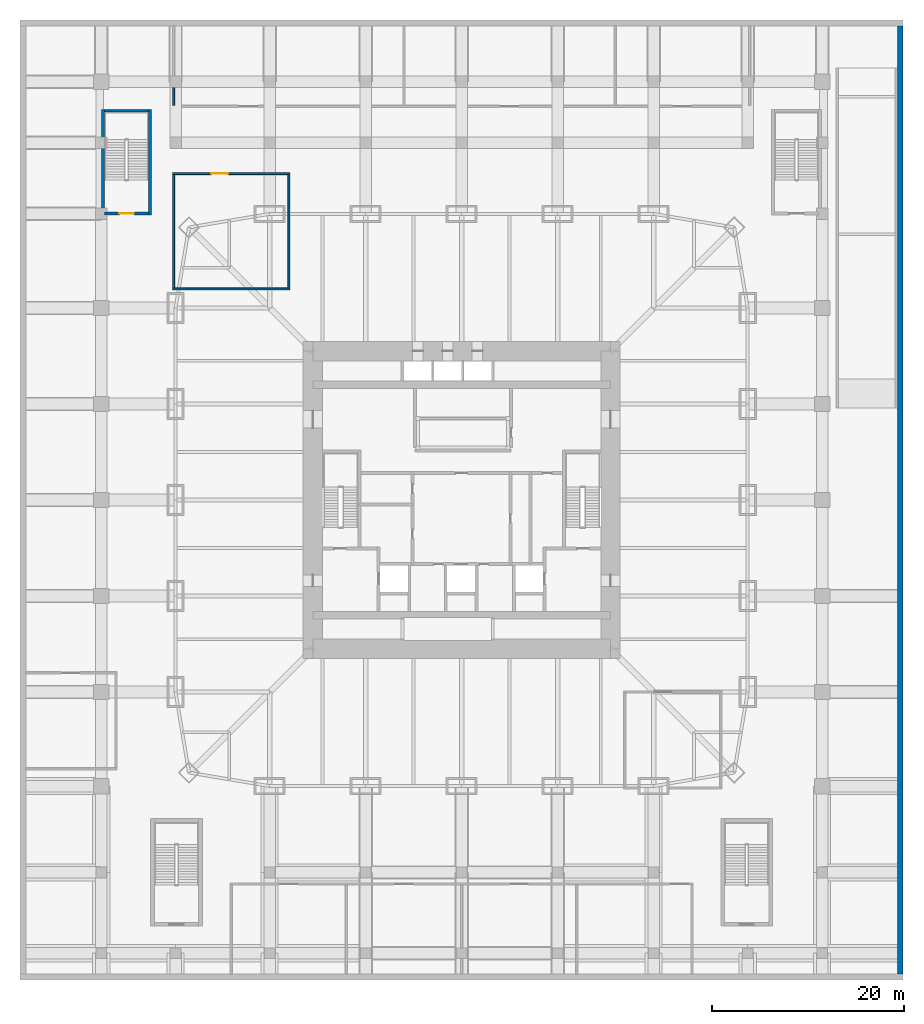
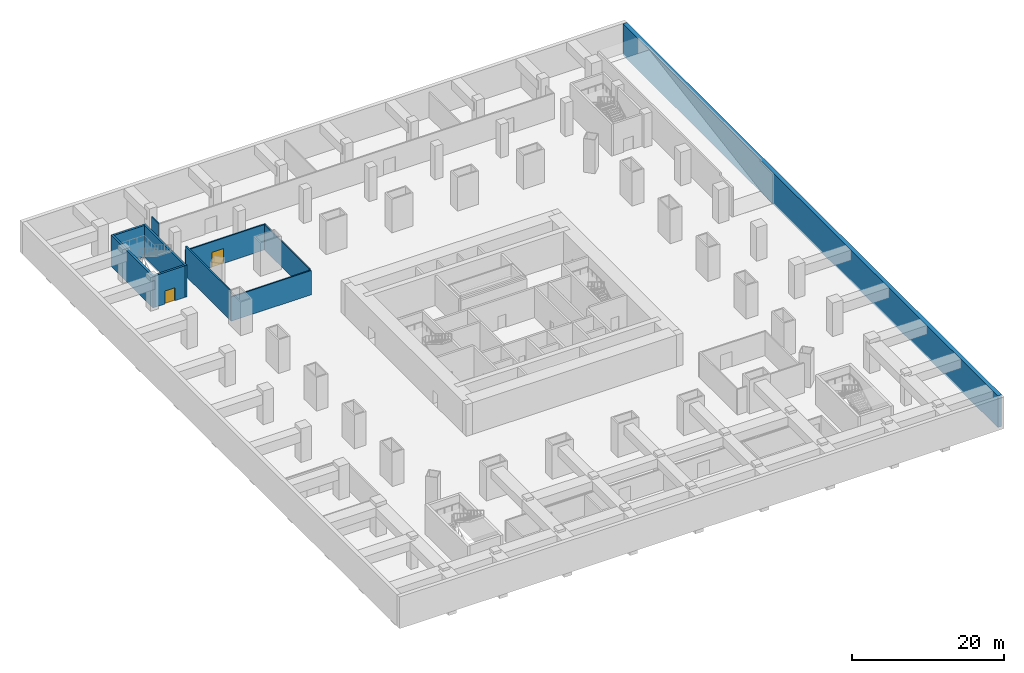
# One storey, part 8 of 12: 10 walls, 2 doors, 2 openings.
"""IFC4 building model written with IfcOpenShell, lengths in metres."""

from ifc_helpers import new_model, si_unit, direction, frame, frame_2d, origin, place, context, subcontext, project, spatial, rectangle, extrude, material, layer, layer_set, type_object, element, fill, save


model = new_model("IFC4")

# Units and contexts
model_context = context("Model", 3, precision=1e-05, world=origin(), true_north=direction((0.0, 1.0)))
body_context = subcontext(model_context, "Body", "Model", "MODEL_VIEW")
ifc_project = project(units=[si_unit("LENGTHUNIT", "METRE"), si_unit("AREAUNIT", "SQUARE_METRE"), si_unit("VOLUMEUNIT", "CUBIC_METRE"), si_unit("PLANEANGLEUNIT", "RADIAN"), si_unit("MASSUNIT", "GRAM", prefix="KILO")], contexts=[model_context])

# Site, building, storey
site_placement = place(None, origin())
site = spatial("IfcSite", under=ifc_project, at=site_placement, CompositionType="ELEMENT")
building_placement = place(site_placement, origin())
building = spatial("IfcBuilding", under=site, at=building_placement, Name="Khuree Lantern Residences", CompositionType="ELEMENT")
storey_placement = place(building_placement, frame((0.0, 0.0, -5.39990234375)))
storey = spatial("IfcBuildingStorey", under=building, at=storey_placement, Name="B1", CompositionType="ELEMENT", Elevation=-5.39990234375)

# Walls
ifc_material_1 = material(Name="Dense concrete blockwork", Category="masonry")
ifc_layer_1 = layer(ifc_material_1, 0.199951171875)
ifc_layer_set_1 = layer_set([ifc_layer_1], Name="FIRE-RATED ROOM WALL FRW200 EI 120")
wall_type_1 = type_object("IfcWallType", Name="FIRE-RATED ROOM WALL FRW200 EI 120", PredefinedType="SOLIDWALL", material=ifc_layer_set_1)
wall_1_placement = place(storey_placement, frame((-30.0, 41.10009765625, 0.0), z_axis=(0.0, 0.0, 1.0), x_axis=(0.0, 1.0, 0.0)))
element("IfcWall", 1, at=wall_1_placement, inside=storey, type_object=wall_type_1, Name="B1 ROOM WALL 21", PredefinedType="SOLIDWALL", context=body_context, shape_type="SweptSolid", body=[
    extrude(rectangle(XDim=1.81982421875, YDim=0.199951171875, at=frame_2d((0.909912109375, 0.0))), origin(), (0.0, 0.0, 1.0), 4.099853515625),
])
ifc_layer_2 = layer(ifc_material_1, 0.199951171875)
ifc_layer_set_2 = layer_set([ifc_layer_2], Name="ROOM WALL RMW200")
wall_type_2 = type_object("IfcWallType", Name="ROOM WALL RMW200", PredefinedType="SOLIDWALL", material=ifc_layer_set_2)
wall_2_placement = place(storey_placement, frame((-30.10009765625, 22.0, 0.0), z_axis=(0.0, 0.0, 1.0), x_axis=(1.0, 0.0, 0.0)))
element("IfcWall", 2, at=wall_2_placement, inside=storey, type_object=wall_type_2, Name="B1 ROOM WALL 16", PredefinedType="SOLIDWALL", context=body_context, shape_type="SweptSolid", body=[
    extrude(rectangle(XDim=12.2001953125, YDim=0.199951171875, at=frame_2d((6.10009765625, 0.0))), origin(), (0.0, 0.0, 1.0), 3.89990234375),
])
wall_3_placement = place(storey_placement, frame((-30.0, 22.10009765625, 0.0), z_axis=(0.0, 0.0, 1.0), x_axis=(0.0, 1.0, 0.0)))
element("IfcWall", 3, at=wall_3_placement, inside=storey, type_object=wall_type_2, Name="B1 ROOM WALL 17", PredefinedType="SOLIDWALL", context=body_context, shape_type="SweptSolid", body=[
    extrude(rectangle(XDim=11.7998046875, YDim=0.199951171875, at=frame_2d((5.89990234375, 0.0))), origin(), (0.0, 0.0, 1.0), 4.7998046875),
])
wall_4_placement = place(storey_placement, frame((-18.0, 22.10009765625, 0.0), z_axis=(0.0, 0.0, 1.0), x_axis=(0.0, 1.0, 0.0)))
element("IfcWall", 4, at=wall_4_placement, inside=storey, type_object=wall_type_2, Name="B1 ROOM WALL 18", PredefinedType="SOLIDWALL", context=body_context, shape_type="SweptSolid", body=[
    extrude(rectangle(XDim=11.7998046875, YDim=0.199951171875, at=frame_2d((5.89990234375, 0.0))), origin(), (0.0, 0.0, 1.0), 4.099853515625),
])

# Wall, opening, door
wall_5_placement = place(storey_placement, frame((-30.10009765625, 34.0, 0.0), z_axis=(0.0, 0.0, 1.0), x_axis=(1.0, 0.0, 0.0)))
wall_5 = element("IfcWall", 5, at=wall_5_placement, inside=storey, type_object=wall_type_2, Name="B1 ROOM WALL 19", PredefinedType="SOLIDWALL", context=body_context, shape_type="SweptSolid", body=[
    extrude(rectangle(XDim=12.2001953125, YDim=0.199951171875, at=frame_2d((6.10009765625, 0.0))), origin(), (0.0, 0.0, 1.0), 4.099853515625),
])
opening_1_placement = place(wall_5_placement, frame((4.0, 0.0, 0.0)))
opening_1 = element("IfcOpeningElement", 6, at=opening_1_placement, cuts=wall_5, Name="Opening B1-034", PredefinedType="OPENING", context=body_context, shape_type="SweptSolid", body=[
    extrude(rectangle(XDim=1.800048828125, YDim=2.39990234375, at=frame_2d((0.89990234375, 1.199951171875))), frame((0.0, 0.10986328125, 0.0), z_axis=(0.0, -1.0, 0.0), x_axis=(1.0, 0.0, 0.0)), (0.0, 0.0, 1.0), 0.219970703125),
])
ifc_material_2 = material(Name="Timber door leaf in hardwood frame", Category="wood")
door_type_1 = type_object("IfcDoorType", Name="DOUBLE DOOR 1800X2400", OperationType="DOUBLE_DOOR_SINGLE_SWING", PredefinedType="DOOR", material=ifc_material_2)
door_1_placement = place(opening_1_placement, origin())
door_1 = element("IfcDoor", 7, at=door_1_placement, inside=storey, type_object=door_type_1, Name="Resident storage door B1-034", OperationType="DOUBLE_DOOR_SINGLE_SWING", OverallHeight=2.39990234375, OverallWidth=1.800048828125, PredefinedType="DOOR", context=body_context, shape_type="SweptSolid", body=[
    extrude(rectangle(XDim=1.800048828125, YDim=2.39990234375, at=frame_2d((0.89990234375, 1.199951171875))), frame((0.0, 0.02490234375, 0.0), z_axis=(0.0, -1.0, 0.0), x_axis=(1.0, 0.0, 0.0)), (0.0, 0.0, 1.0), 0.050048828125),
])
fill(opening_1, door_1)

# Walls
ifc_material_3 = material(Name="Concrete C40/50", Category="concrete")
ifc_layer_3 = layer(ifc_material_3, 0.60009765625)
ifc_layer_set_3 = layer_set([ifc_layer_3], Name="RW1 BASEMENT RETAINING WALL 600")
wall_type_3 = type_object("IfcWallType", Name="RW1 BASEMENT RETAINING WALL 600", PredefinedType="SOLIDWALL", material=ifc_layer_set_3)
wall_6_placement = place(storey_placement, frame((45.699951171875, -49.39990234375, -0.300048828125), z_axis=(0.0, 0.0, 1.0), x_axis=(0.0, 1.0, 0.0)))
element("IfcWall", 8, at=wall_6_placement, inside=storey, type_object=wall_type_3, Name="Retaining wall E", PredefinedType="SOLIDWALL", context=body_context, shape_type="SweptSolid", body=[
    extrude(rectangle(XDim=98.7998046875, YDim=0.60009765625, at=frame_2d((49.39990234375, 0.0))), origin(), (0.0, 0.0, 1.0), 5.099853515625),
])
ifc_material_4 = material(Name="Concrete C50/60", Category="concrete")
ifc_layer_4 = layer(ifc_material_4, 0.300048828125)
ifc_layer_set_4 = layer_set([ifc_layer_4], Name="STAIR WALL SRW300 C50/60 REI 240")
wall_type_4 = type_object("IfcWallType", Name="STAIR WALL SRW300 C50/60 REI 240", PredefinedType="SOLIDWALL", material=ifc_layer_set_4)
wall_7_placement = place(storey_placement, frame((-37.35009765625, 29.699951171875, 0.0), z_axis=(0.0, 0.0, 1.0), x_axis=(0.0, 1.0, 0.0)))
element("IfcWall", 9, at=wall_7_placement, inside=storey, type_object=wall_type_4, Name="B1 STAIR ST3 WALL O", PredefinedType="SOLIDWALL", context=body_context, shape_type="SweptSolid", body=[
    extrude(rectangle(XDim=11.0, YDim=0.300048828125, at=frame_2d((5.5, 0.0))), origin(), (0.0, 0.0, 1.0), 5.099853515625),
])

# Wall, opening, door
wall_8_placement = place(storey_placement, frame((-37.199951171875, 29.85009765625, 0.0), z_axis=(0.0, 0.0, 1.0), x_axis=(1.0, 0.0, 0.0)))
wall_8 = element("IfcWall", 10, at=wall_8_placement, inside=storey, type_object=wall_type_4, Name="B1 STAIR ST3 WALL S", PredefinedType="SOLIDWALL", context=body_context, shape_type="SweptSolid", body=[
    extrude(rectangle(XDim=4.599853515625, YDim=0.300048828125, at=frame_2d((2.2998046875, 0.0))), origin(), (0.0, 0.0, 1.0), 5.099853515625),
])
opening_2_placement = place(wall_8_placement, frame((1.550048828125, 0.0, 0.0)))
opening_2 = element("IfcOpeningElement", 11, at=opening_2_placement, cuts=wall_8, Name="Opening B1-023", PredefinedType="OPENING", context=body_context, shape_type="SweptSolid", body=[
    extrude(rectangle(XDim=1.5, YDim=2.10009765625, at=frame_2d((0.75, 1.050048828125))), frame((0.0, 0.16015625, 0.0), z_axis=(0.0, -1.0, 0.0), x_axis=(1.0, 0.0, 0.0)), (0.0, 0.0, 1.0), 0.320068359375),
])
ifc_material_5 = material(Name="Steel door leaf in steel frame", Category="steel")
door_type_2 = type_object("IfcDoorType", Name="STAIR DOOR 1500X2100 EI 120", OperationType="DOUBLE_DOOR_SINGLE_SWING", PredefinedType="DOOR", material=ifc_material_5)
door_2_placement = place(opening_2_placement, origin())
door_2 = element("IfcDoor", 12, at=door_2_placement, inside=storey, type_object=door_type_2, Name="Stair ST3 door B1-023", OperationType="DOUBLE_DOOR_SINGLE_SWING", OverallHeight=2.10009765625, OverallWidth=1.5, PredefinedType="DOOR", context=body_context, shape_type="SweptSolid", body=[
    extrude(rectangle(XDim=1.5, YDim=2.10009765625, at=frame_2d((0.75, 1.050048828125))), frame((0.0, 0.02490234375, 0.0), z_axis=(0.0, -1.0, 0.0), x_axis=(1.0, 0.0, 0.0)), (0.0, 0.0, 1.0), 0.050048828125),
])
fill(opening_2, door_2)

# Walls
wall_9_placement = place(storey_placement, frame((-32.449951171875, 29.699951171875, 0.0), z_axis=(0.0, 0.0, 1.0), x_axis=(0.0, 1.0, 0.0)))
element("IfcWall", 13, at=wall_9_placement, inside=storey, type_object=wall_type_4, Name="B1 STAIR ST3 WALL I", PredefinedType="SOLIDWALL", context=body_context, shape_type="SweptSolid", body=[
    extrude(rectangle(XDim=11.0, YDim=0.300048828125, at=frame_2d((5.5, 0.0))), origin(), (0.0, 0.0, 1.0), 5.099853515625),
])
wall_10_placement = place(storey_placement, frame((-37.199951171875, 40.550048828125, 0.0), z_axis=(0.0, 0.0, 1.0), x_axis=(1.0, 0.0, 0.0)))
element("IfcWall", 14, at=wall_10_placement, inside=storey, type_object=wall_type_4, Name="B1 STAIR ST3 WALL N", PredefinedType="SOLIDWALL", context=body_context, shape_type="SweptSolid", body=[
    extrude(rectangle(XDim=4.599853515625, YDim=0.300048828125, at=frame_2d((2.2998046875, 0.0))), origin(), (0.0, 0.0, 1.0), 5.099853515625),
])

save(model, "model.ifc")
